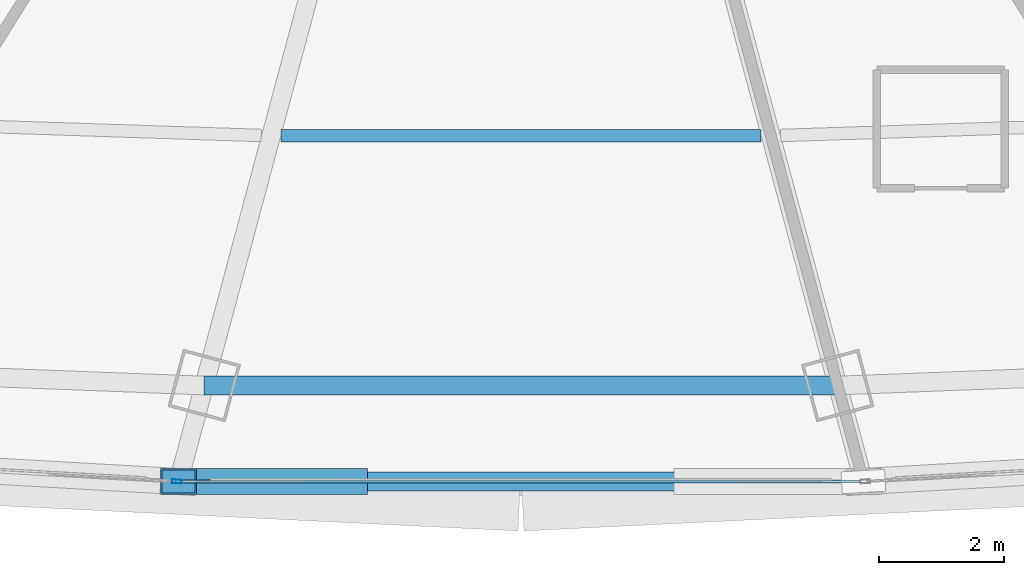
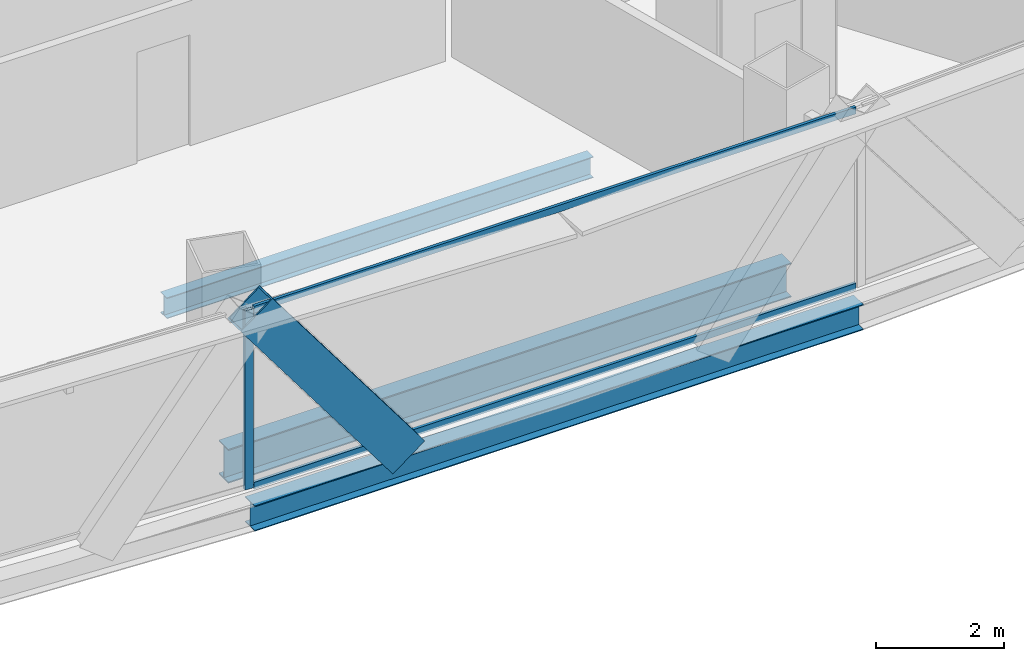
# One storey, part 10 of 39: 4 members, 3 beams, 2 elements without a shape of their own.
"""IFC4 building model written with IfcOpenShell, lengths in metres."""

from ifc_helpers import new_model, si_unit, direction, frame, origin, origin_2d, place, context, subcontext, project, spatial, hollow_rectangle, i_section, extrude, source, transform, mapped, material, layer, layer_set, material_profile, profile_set, type_object, element, aggregate, save


model = new_model("IFC4")

# Units and contexts
model_context = context("Model", 3, precision=1e-05, world=origin(), true_north=direction((0.0, 1.0)))
body_context = subcontext(model_context, "Body", "Model", "MODEL_VIEW")
ifc_project = project(units=[si_unit("LENGTHUNIT", "METRE"), si_unit("AREAUNIT", "SQUARE_METRE"), si_unit("VOLUMEUNIT", "CUBIC_METRE"), si_unit("PLANEANGLEUNIT", "RADIAN"), si_unit("MASSUNIT", "GRAM", prefix="KILO"), si_unit("THERMODYNAMICTEMPERATUREUNIT", "KELVIN"), si_unit("POWERUNIT", "WATT")], contexts=[model_context])

# Site, building, storey
site_placement = place(None, origin())
site = spatial("IfcSite", under=ifc_project, at=site_placement, CompositionType="ELEMENT")
building_placement = place(site_placement, origin())
building = spatial("IfcBuilding", under=site, at=building_placement, Name="Yunzhuo Pagoda Commons", CompositionType="ELEMENT")
storey_placement = place(building_placement, frame((0.0, 0.0, 140.8701171875)))
storey = spatial("IfcBuildingStorey", under=building, at=storey_placement, Name="L35", CompositionType="ELEMENT", Elevation=140.8701171875)

# Beams
ifc_material_1 = material(Name="Structural steel Q355B", Category="steel")
ifc_material_profile_1 = material_profile(ifc_material_1, i_section(OverallWidth=0.300048828125, OverallDepth=0.64990234375, WebThickness=0.012939453125, FlangeThickness=0.02197265625, at=origin_2d()), Name="Structural steel Q355B")
ifc_profile_set_1 = profile_set([ifc_material_profile_1], Name="Structural steel Q355B")
beam_type_1 = type_object("IfcBeamType", Name="B-RG2 Beam HN 650x300x13x22", PredefinedType="BEAM", material=ifc_profile_set_1)
shared_shape_1 = source(origin(), body_context, "Body", "SweptSolid", [
    extrude(i_section(OverallWidth=0.300048828125, OverallDepth=0.64990234375, WebThickness=0.012939453125, FlangeThickness=0.02197265625, at=origin_2d()), origin(), (0.0, 0.0, 1.0), 10.17041015625),
])
beam_1_placement = place(storey_placement, frame((42.914794921875, 14.7216796875, -0.585205078125), z_axis=(1.0, 0.0, 0.0), x_axis=(0.0, 1.0, 0.0)))
element("IfcBeam", 1, at=beam_1_placement, inside=storey, type_object=beam_type_1, Name="L35 column-ring beam 2", PredefinedType="BEAM", context=body_context, shape_type="MappedRepresentation", body=[
    mapped(shared_shape_1, transform((0.0, 0.0, 0.0), scale=1.0)),
])
ifc_material_profile_2 = material_profile(ifc_material_1, i_section(OverallWidth=0.199951171875, OverallDepth=0.39990234375, WebThickness=0.008056640625, FlangeThickness=0.012939453125, at=origin_2d()), Name="Structural steel Q355B")
ifc_profile_set_2 = profile_set([ifc_material_profile_2], Name="Structural steel Q355B")
beam_type_2 = type_object("IfcBeamType", Name="B-JS1 Joist HN 400x200x8x13", PredefinedType="JOIST", material=ifc_profile_set_2)
shared_shape_2 = source(origin(), body_context, "Body", "SweptSolid", [
    extrude(i_section(OverallWidth=0.199951171875, OverallDepth=0.39990234375, WebThickness=0.008056640625, FlangeThickness=0.012939453125, at=origin_2d()), origin(), (0.0, 0.0, 1.0), 7.7041015625),
])
beam_2_placement = place(storey_placement, frame((44.14794921875, 18.730712890625, -0.460205078125), z_axis=(1.0, 0.0, 0.0), x_axis=(0.0, 1.0, 0.0)))
element("IfcBeam", 2, at=beam_2_placement, inside=storey, type_object=beam_type_2, Name="L35 composite ring joist 2.2", PredefinedType="JOIST", context=body_context, shape_type="MappedRepresentation", body=[
    mapped(shared_shape_2, transform((0.0, 0.0, 0.0), scale=1.0)),
])
ifc_material_profile_3 = material_profile(ifc_material_1, i_section(OverallWidth=0.300048828125, OverallDepth=0.488037109375, WebThickness=0.010986328125, FlangeThickness=0.01806640625, at=origin_2d()), Name="Structural steel Q355B")
ifc_profile_set_3 = profile_set([ifc_material_profile_3], Name="Structural steel Q355B")
beam_type_3 = type_object("IfcBeamType", Name="B-SP1 Beam HM 488x300x11x18", PredefinedType="BEAM", material=ifc_profile_set_3)
shared_shape_3 = source(origin(), body_context, "Body", "SweptSolid", [
    extrude(i_section(OverallWidth=0.300048828125, OverallDepth=0.488037109375, WebThickness=0.010986328125, FlangeThickness=0.01806640625, at=origin_2d()), origin(), (0.0, 0.0, 1.0), 10.99609375),
])
beam_3_placement = place(storey_placement, frame((42.501953125, 13.1806640625, -0.504150390625), z_axis=(1.0, 0.0, 0.0), x_axis=(0.0, 1.0, 0.0)))
element("IfcBeam", 3, at=beam_3_placement, inside=storey, type_object=beam_type_3, Name="L35 facade edge spandrel beam F1.2", PredefinedType="BEAM", context=body_context, shape_type="MappedRepresentation", body=[
    mapped(shared_shape_3, transform((0.0, 0.0, 0.0), scale=1.0)),
])

# Member
ifc_material_2 = material(Name="Structural steel Q420B", Category="steel")
ifc_material_profile_4 = material_profile(ifc_material_2, hollow_rectangle(XDim=0.419921875, YDim=0.719970703125, WallThickness=0.028076171875, at=origin_2d()), Name="Structural steel Q420B")
ifc_profile_set_4 = profile_set([ifc_material_profile_4], Name="Structural steel Q420B")
member_type_1 = type_object("IfcMemberType", Name="M-DL1 Brace BOX 720x420x28", PredefinedType="BRACE", material=ifc_profile_set_4)
shared_shape_4 = source(origin(), body_context, "Body", "SweptSolid", [
    extrude(hollow_rectangle(XDim=0.419921875, YDim=0.719970703125, WallThickness=0.028076171875, at=origin_2d()), origin(), (0.0, 0.0, 1.0), 4.59326171875),
])
member_1_placement = place(storey_placement, frame((45.2509765625, 13.1806640625, -0.260009765625), z_axis=(-0.598476678281, 0.0, 0.801140228395), x_axis=(0.0, -1.0, 0.0)))
element("IfcMember", 4, at=member_1_placement, inside=storey, type_object=member_type_1, Name="L35 facade diamond brace F1.2L", PredefinedType="BRACE", context=body_context, shape_type="MappedRepresentation", body=[
    mapped(shared_shape_4, transform((0.0, 0.0, 0.0), scale=1.0)),
])

# Curtain wall, member
ifc_material_3 = material(Name="Anodized aluminium 6063-T6", Category="aluminium")
ifc_layer = layer(ifc_material_3, 0.14990234375)
ifc_layer_set = layer_set([ifc_layer], Name="Anodized aluminium 6063-T6")
curtain_wall_type = type_object("IfcCurtainWallType", Name="CW-MID Mid-Zone Ribbon Curtain Wall", PredefinedType="NOTDEFINED", material=ifc_layer_set)
curtain_wall_1_placement = place(storey_placement, origin())
curtain_wall_1 = element("IfcCurtainWall", 5, at=curtain_wall_1_placement, inside=storey, type_object=curtain_wall_type, Name="L35 curtain wall CW-L35-F1B2", PredefinedType="NOTDEFINED")
ifc_material_profile_5 = material_profile(ifc_material_3, hollow_rectangle(XDim=0.06005859375, YDim=0.14990234375, WallThickness=0.00390625, at=origin_2d()), Name="Anodized aluminium 6063-T6")
ifc_profile_set_5 = profile_set([ifc_material_profile_5], Name="Anodized aluminium 6063-T6")
member_type_2 = type_object("IfcMemberType", Name="CW-MID-M Mullion RHS 150x60x4", PredefinedType="MULLION", material=ifc_profile_set_5)
shared_shape_5 = source(origin(), body_context, "Body", "SweptSolid", [
    extrude(hollow_rectangle(XDim=0.06005859375, YDim=0.14990234375, WallThickness=0.00390625, at=origin_2d()), origin(), (0.0, 0.0, 1.0), 3.419921875),
])
member_2_placement = place(storey_placement, frame((42.471923828125, 13.182373046875, 0.0), z_axis=(0.0, 0.0, 1.0), x_axis=(0.056597401536, 0.998397082397, 0.0)))
member_2 = element("IfcMember", 6, at=member_2_placement, type_object=member_type_2, Name="CW mullion 2", PredefinedType="MULLION", context=body_context, shape_type="MappedRepresentation", body=[
    mapped(shared_shape_5, transform((0.0, 0.0, 0.0), scale=1.0)),
])
aggregate(curtain_wall_1, [member_2])

# Curtain wall, members
curtain_wall_2_placement = place(storey_placement, origin())
curtain_wall_2 = element("IfcCurtainWall", 7, at=curtain_wall_2_placement, inside=storey, type_object=curtain_wall_type, Name="L35 curtain wall CW-L35-F1B3", PredefinedType="NOTDEFINED")
ifc_material_profile_6 = material_profile(ifc_material_3, hollow_rectangle(XDim=0.054931640625, YDim=0.1298828125, WallThickness=0.00341796875, at=origin_2d()), Name="Anodized aluminium 6063-T6")
ifc_profile_set_6 = profile_set([ifc_material_profile_6], Name="Anodized aluminium 6063-T6")
member_type_3 = type_object("IfcMemberType", Name="CW-MID-T Transom RHS 130x55x3.5", PredefinedType="USERDEFINED", material=ifc_profile_set_6)
shared_shape_6 = source(origin(), body_context, "Body", "SweptSolid", [
    extrude(hollow_rectangle(XDim=0.054931640625, YDim=0.1298828125, WallThickness=0.00341796875, at=origin_2d()), origin(), (0.0, 0.0, 1.0), 10.8759765625),
])
member_3_placement = place(storey_placement, frame((42.56201171875, 13.1806640625, 0.02734375), z_axis=(1.0, 0.0, 0.0), x_axis=(0.0, 1.0, 0.0)))
member_3 = element("IfcMember", 8, at=member_3_placement, type_object=member_type_3, Name="CW transom 1.1", ObjectType="TRANSOM", PredefinedType="USERDEFINED", context=body_context, shape_type="MappedRepresentation", body=[
    mapped(shared_shape_6, transform((0.0, 0.0, 0.0), scale=1.0)),
])
member_4_placement = place(storey_placement, frame((42.56201171875, 13.1806640625, 3.392333984375), z_axis=(1.0, 0.0, 0.0), x_axis=(0.0, 1.0, 0.0)))
member_4 = element("IfcMember", 9, at=member_4_placement, type_object=member_type_3, Name="CW transom 1.2", ObjectType="TRANSOM", PredefinedType="USERDEFINED", context=body_context, shape_type="MappedRepresentation", body=[
    mapped(shared_shape_6, transform((0.0, 0.0, 0.0), scale=1.0)),
])
aggregate(curtain_wall_2, [member_3, member_4])

save(model, "model.ifc")
